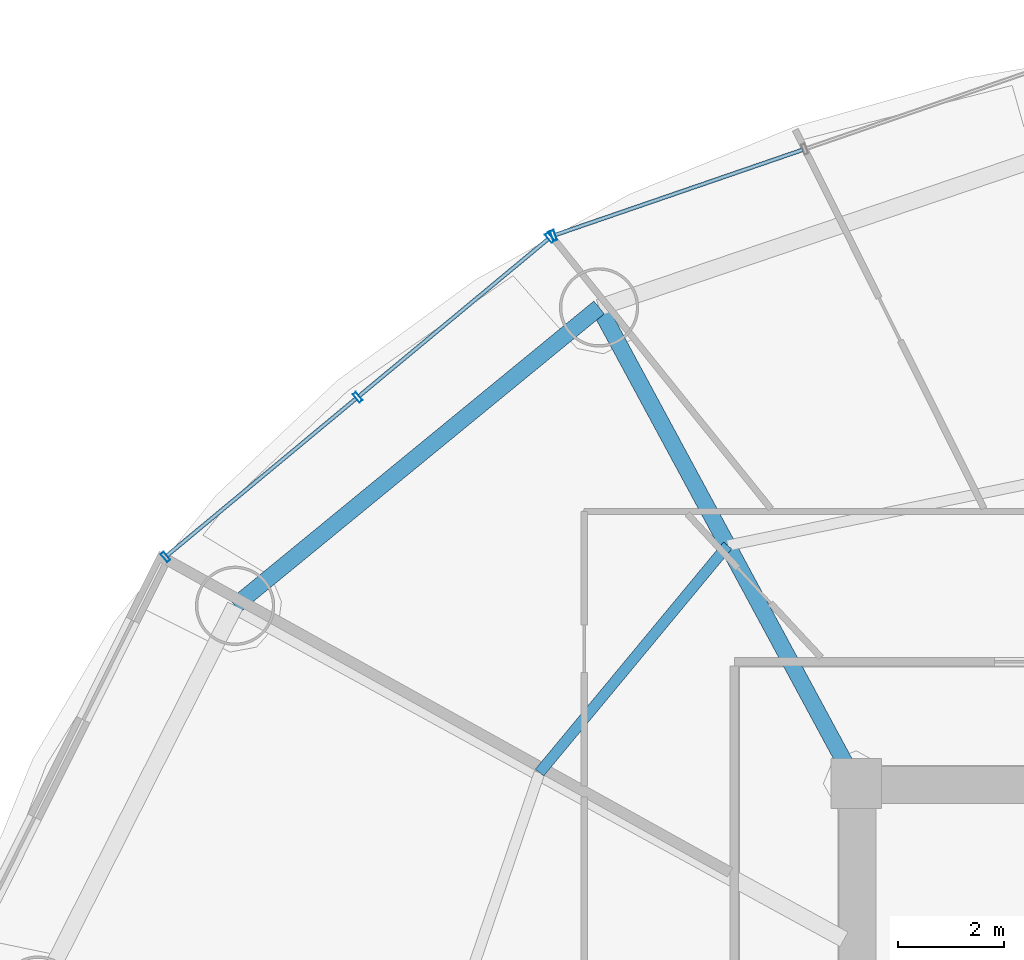
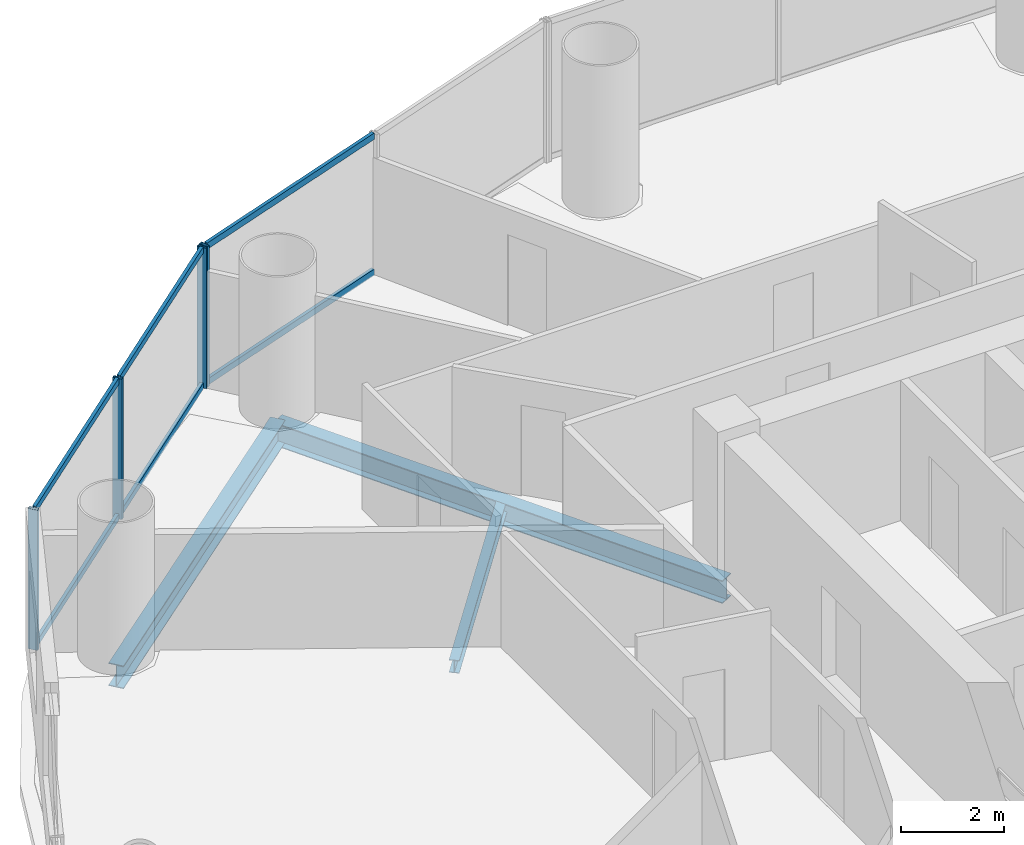
# One storey, part 15 of 28: 10 members, 3 beams, 2 elements without a shape of their own.
"""IFC4 building model written with IfcOpenShell, lengths in metres."""

from ifc_helpers import new_model, si_unit, direction, frame, origin, origin_2d, place, context, subcontext, project, spatial, hollow_rectangle, i_section, extrude, source, transform, mapped, material, material_profile, profile_set, type_object, element, aggregate, save


model = new_model("IFC4")

# Units and contexts
model_context = context("Model", 3, precision=1e-05, world=origin(), true_north=direction((-0.2419218956, 0.970295726276)))
body_context = subcontext(model_context, "Body", "Model", "MODEL_VIEW")
ifc_project = project(units=[si_unit("LENGTHUNIT", "METRE"), si_unit("AREAUNIT", "SQUARE_METRE"), si_unit("VOLUMEUNIT", "CUBIC_METRE"), si_unit("PLANEANGLEUNIT", "RADIAN"), si_unit("MASSUNIT", "GRAM", prefix="KILO")], contexts=[model_context])

# Site, building, storey
site_placement = place(None, origin())
site = spatial("IfcSite", under=ifc_project, at=site_placement, CompositionType="ELEMENT")
building_placement = place(site_placement, origin())
building = spatial("IfcBuilding", under=site, at=building_placement, Name="Cobrevalo Terracotta Tower", CompositionType="ELEMENT")
storey_placement = place(building_placement, frame((0.0, 0.0, 101.39990234375)))
storey = spatial("IfcBuildingStorey", under=building, at=storey_placement, Name="L26", CompositionType="ELEMENT", Elevation=101.39990234375)

# Beams
ifc_material_1 = material(Name="Steel S355", Category="steel")
ifc_material_profile_1 = material_profile(ifc_material_1, i_section(OverallWidth=0.31201171875, OverallDepth=0.54296875, WebThickness=0.0126953125, FlangeThickness=0.020263671875, at=origin_2d()), Name="W 530x150")
ifc_profile_set_1 = profile_set([ifc_material_profile_1], Name="Steel S355")
beam_type_1 = type_object("IfcBeamType", Name="Structural Beam W 530x150 (Steel S355)", PredefinedType="BEAM", material=ifc_profile_set_1)
beam_1_placement = place(storey_placement, frame((24.138427734375, 43.803466796875, -0.54638671875), z_axis=(0.475128224431, -0.879916570107, 0.0), x_axis=(0.879916570107, 0.475128224431, 0.0)))
element("IfcBeam", 1, at=beam_1_placement, inside=storey, type_object=beam_type_1, Name="L26 radial floor girder 06", PredefinedType="BEAM", context=body_context, shape_type="SweptSolid", body=[
    extrude(i_section(OverallWidth=0.31201171875, OverallDepth=0.54296875, WebThickness=0.0126953125, FlangeThickness=0.020263671875, at=origin_2d()), origin(), (0.0, 0.0, 1.0), 10.232177734375),
])
ifc_material_profile_2 = material_profile(ifc_material_1, i_section(OverallWidth=0.2041015625, OverallDepth=0.305908203125, WebThickness=0.008544921875, FlangeThickness=0.0146484375, at=origin_2d()), Name="W 310x67")
ifc_profile_set_2 = profile_set([ifc_material_profile_2], Name="Steel S355")
beam_type_2 = type_object("IfcBeamType", Name="Structural Joist W 310x67 (Steel S355)", PredefinedType="JOIST", material=ifc_profile_set_2)
beam_2_placement = place(storey_placement, frame((26.5693359375, 39.3017578125, -0.427978515625), z_axis=(-0.6379592588, -0.77007011636, 0.0), x_axis=(0.77007011636, -0.6379592588, 0.0)))
element("IfcBeam", 2, at=beam_2_placement, inside=storey, type_object=beam_type_2, Name="L26 circumferential secondary floor joist 06", PredefinedType="JOIST", context=body_context, shape_type="SweptSolid", body=[
    extrude(i_section(OverallWidth=0.2041015625, OverallDepth=0.305908203125, WebThickness=0.008544921875, FlangeThickness=0.0146484375, at=origin_2d()), origin(), (0.0, 0.0, 1.0), 5.575439453125),
])
ifc_material_profile_3 = material_profile(ifc_material_1, i_section(OverallWidth=0.31201171875, OverallDepth=0.54296875, WebThickness=0.0126953125, FlangeThickness=0.020263671875, at=origin_2d()), Name="W 530x150")
ifc_profile_set_3 = profile_set([ifc_material_profile_3], Name="Steel S355")
beam_type_3 = type_object("IfcBeamType", Name="Structural Spandrel W 530x150 (Steel S355)", PredefinedType="SPANDREL", material=ifc_profile_set_3)
beam_3_placement = place(storey_placement, frame((24.138427734375, 43.803466796875, -0.54638671875), z_axis=(-0.773400923541, -0.633917196064, 0.0), x_axis=(0.633917196064, -0.773400923541, 0.0)))
element("IfcBeam", 3, at=beam_3_placement, inside=storey, type_object=beam_type_3, Name="L26 perimeter ring spandrel 06", PredefinedType="SPANDREL", context=body_context, shape_type="SweptSolid", body=[
    extrude(i_section(OverallWidth=0.31201171875, OverallDepth=0.54296875, WebThickness=0.0126953125, FlangeThickness=0.020263671875, at=origin_2d()), origin(), (0.0, 0.0, 1.0), 8.900390625),
])

# Curtain wall, members
ifc_material_2 = material(Name="Anodized aluminium", Category="aluminium")
curtain_wall_type = type_object("IfcCurtainWallType", Name="Lower-tower unitised acoustic low-E curtain wall CW-U1", PredefinedType="NOTDEFINED", material=ifc_material_2)
curtain_wall_1_placement = place(storey_placement, origin())
curtain_wall_1 = element("IfcCurtainWall", 4, at=curtain_wall_1_placement, inside=storey, type_object=curtain_wall_type, Name="L26 curtain wall CW-L26-S05", PredefinedType="NOTDEFINED")
ifc_material_profile_4 = material_profile(ifc_material_2, hollow_rectangle(XDim=0.074951171875, YDim=0.14990234375, WallThickness=0.00439453125, at=origin_2d()), Name="CWT 75x150")
ifc_profile_set_4 = profile_set([ifc_material_profile_4], Name="Anodized aluminium")
member_type_1 = type_object("IfcMemberType", Name="Tower unitised aluminium transom 75x150", PredefinedType="USERDEFINED", material=ifc_profile_set_4)
shared_shape_1 = source(origin(), body_context, "Body", "SweptSolid", [
    extrude(hollow_rectangle(XDim=0.074951171875, YDim=0.14990234375, WallThickness=0.00439453125, at=origin_2d()), origin(), (0.0, 0.0, 1.0), 4.944580078125),
])
member_1_placement = place(storey_placement, frame((27.98974609375, 46.78515625, 0.050048828125), z_axis=(-0.945597859971, -0.32533780478, 0.0), x_axis=(0.32533780478, -0.945597859971, 0.0)))
member_1 = element("IfcMember", 5, at=member_1_placement, type_object=member_type_1, Name="CW-L26-S05 transom B02-T1", ObjectType="TRANSOM", PredefinedType="USERDEFINED", context=body_context, shape_type="MappedRepresentation", body=[
    mapped(shared_shape_1, transform((0.0, 0.0, 0.0), scale=1.0)),
])
member_2_placement = place(storey_placement, frame((27.98974609375, 46.78515625, 3.275146484375), z_axis=(-0.945597859971, -0.32533780478, 0.0), x_axis=(0.32533780478, -0.945597859971, 0.0)))
member_2 = element("IfcMember", 6, at=member_2_placement, type_object=member_type_1, Name="CW-L26-S05 transom B02-T2", ObjectType="TRANSOM", PredefinedType="USERDEFINED", context=body_context, shape_type="MappedRepresentation", body=[
    mapped(shared_shape_1, transform((0.0, 0.0, 0.0), scale=1.0)),
])

curtain_wall_2_placement = place(storey_placement, origin())
curtain_wall_2 = element("IfcCurtainWall", 7, at=curtain_wall_2_placement, inside=storey, type_object=curtain_wall_type, Name="L26 curtain wall CW-L26-S06", PredefinedType="NOTDEFINED")
shared_shape_2 = source(origin(), body_context, "Body", "SweptSolid", [
    extrude(hollow_rectangle(XDim=0.074951171875, YDim=0.14990234375, WallThickness=0.00439453125, at=origin_2d()), origin(), (0.0, 0.0, 1.0), 4.644775390625),
])
member_3_placement = place(storey_placement, frame((23.177001953125, 45.099365234375, 0.050048828125), z_axis=(-0.76924999091, -0.638947925487, 0.0), x_axis=(0.638947925487, -0.76924999091, 0.0)))
member_3 = element("IfcMember", 8, at=member_3_placement, type_object=member_type_1, Name="CW-L26-S06 transom B01-T1", ObjectType="TRANSOM", PredefinedType="USERDEFINED", context=body_context, shape_type="MappedRepresentation", body=[
    mapped(shared_shape_2, transform((0.0, 0.0, 0.0), scale=1.0)),
])
member_4_placement = place(storey_placement, frame((23.177001953125, 45.099365234375, 3.275146484375), z_axis=(-0.76924999091, -0.638947925487, 0.0), x_axis=(0.638947925487, -0.76924999091, 0.0)))
member_4 = element("IfcMember", 9, at=member_4_placement, type_object=member_type_1, Name="CW-L26-S06 transom B01-T2", ObjectType="TRANSOM", PredefinedType="USERDEFINED", context=body_context, shape_type="MappedRepresentation", body=[
    mapped(shared_shape_2, transform((0.0, 0.0, 0.0), scale=1.0)),
])
member_5_placement = place(storey_placement, frame((19.54248046875, 42.080322265625, 0.050048828125), z_axis=(-0.76924999091, -0.638947925487, 0.0), x_axis=(0.638947925487, -0.76924999091, 0.0)))
member_5 = element("IfcMember", 10, at=member_5_placement, type_object=member_type_1, Name="CW-L26-S06 transom B02-T1", ObjectType="TRANSOM", PredefinedType="USERDEFINED", context=body_context, shape_type="MappedRepresentation", body=[
    mapped(shared_shape_2, transform((0.0, 0.0, 0.0), scale=1.0)),
])
member_6_placement = place(storey_placement, frame((19.54248046875, 42.080322265625, 3.275146484375), z_axis=(-0.76924999091, -0.638947925487, 0.0), x_axis=(0.638947925487, -0.76924999091, 0.0)))
member_6 = element("IfcMember", 11, at=member_6_placement, type_object=member_type_1, Name="CW-L26-S06 transom B02-T2", ObjectType="TRANSOM", PredefinedType="USERDEFINED", context=body_context, shape_type="MappedRepresentation", body=[
    mapped(shared_shape_2, transform((0.0, 0.0, 0.0), scale=1.0)),
])

# Member
ifc_material_profile_5 = material_profile(ifc_material_2, hollow_rectangle(XDim=0.074951171875, YDim=0.199951171875, WallThickness=0.0048828125, at=origin_2d()), Name="CWM 75x200")
ifc_profile_set_5 = profile_set([ifc_material_profile_5], Name="Anodized aluminium")
member_type_2 = type_object("IfcMemberType", Name="Lower/mid tower unitised mullion 75x200", PredefinedType="MULLION", material=ifc_profile_set_5)
shared_shape_3 = source(origin(), body_context, "Body", "SweptSolid", [
    extrude(hollow_rectangle(XDim=0.074951171875, YDim=0.199951171875, WallThickness=0.0048828125, at=origin_2d()), origin(), (0.0, 0.0, 1.0), 3.3251953125),
])
member_7_placement = place(storey_placement, frame((23.2763671875, 45.16357421875, 0.0), z_axis=(0.0, 0.0, 1.0), x_axis=(-0.94559809868, -0.325337110968, 0.0)))
member_7 = element("IfcMember", 12, at=member_7_placement, type_object=member_type_2, Name="CW-L26-S05 vertical mullion 03", PredefinedType="MULLION", context=body_context, shape_type="MappedRepresentation", body=[
    mapped(shared_shape_3, transform((0.0, 0.0, 0.0), scale=1.0)),
])

aggregate(curtain_wall_1, [member_7, member_1, member_2])

member_8_placement = place(storey_placement, frame((23.207763671875, 45.125, 0.0), z_axis=(0.0, 0.0, 1.0), x_axis=(-0.769243451658, -0.638955798222, 0.0)))
member_8 = element("IfcMember", 13, at=member_8_placement, type_object=member_type_2, Name="CW-L26-S06 vertical mullion 01", PredefinedType="MULLION", context=body_context, shape_type="MappedRepresentation", body=[
    mapped(shared_shape_3, transform((0.0, 0.0, 0.0), scale=1.0)),
])

member_9_placement = place(storey_placement, frame((19.5732421875, 42.10595703125, 0.0), z_axis=(0.0, 0.0, 1.0), x_axis=(-0.769243451658, -0.638955798222, 0.0)))
member_9 = element("IfcMember", 14, at=member_9_placement, type_object=member_type_2, Name="CW-L26-S06 vertical mullion 02", PredefinedType="MULLION", context=body_context, shape_type="MappedRepresentation", body=[
    mapped(shared_shape_3, transform((0.0, 0.0, 0.0), scale=1.0)),
])

member_10_placement = place(storey_placement, frame((15.938720703125, 39.0869140625, 0.0), z_axis=(0.0, 0.0, 1.0), x_axis=(-0.769243451658, -0.638955798222, 0.0)))
member_10 = element("IfcMember", 15, at=member_10_placement, type_object=member_type_2, Name="CW-L26-S06 vertical mullion 03", PredefinedType="MULLION", context=body_context, shape_type="MappedRepresentation", body=[
    mapped(shared_shape_3, transform((0.0, 0.0, 0.0), scale=1.0)),
])

aggregate(curtain_wall_2, [member_8, member_9, member_10, member_3, member_4, member_5, member_6])

save(model, "model.ifc")
